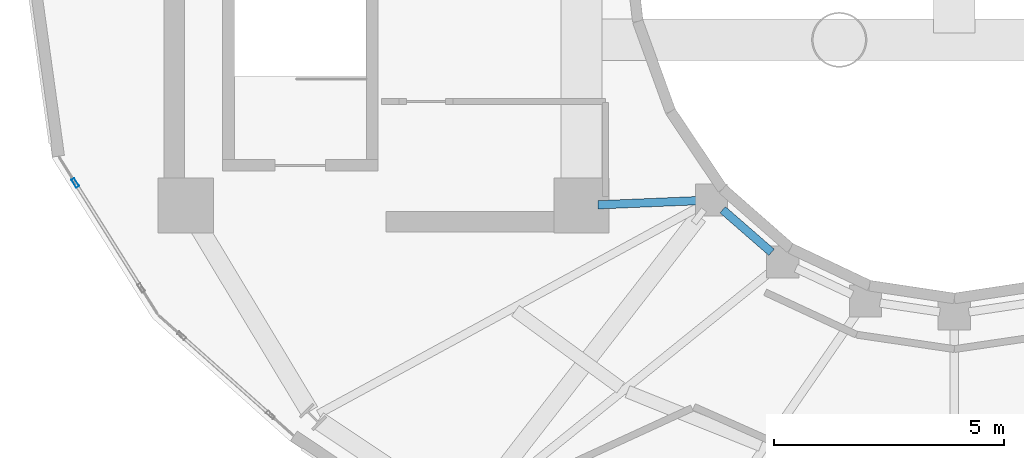
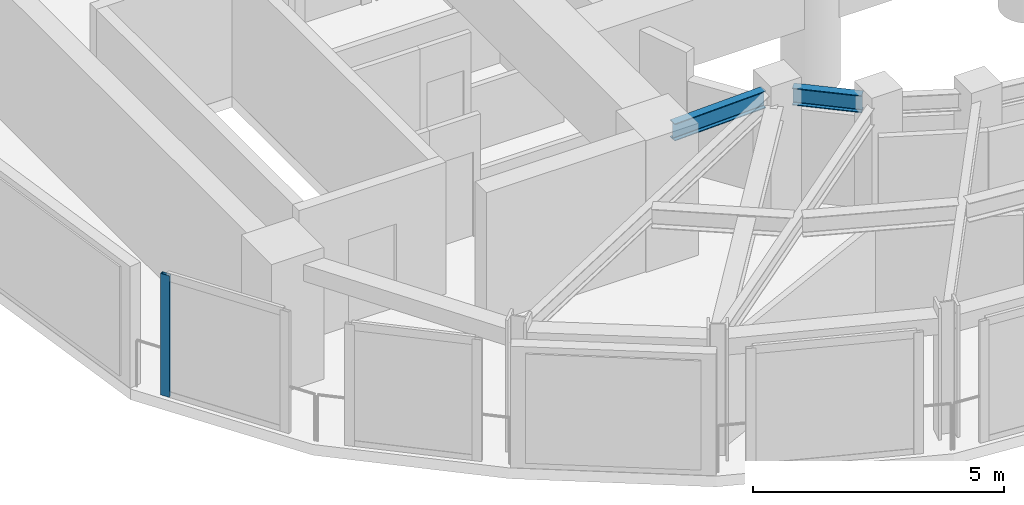
# One storey, part 4 of 17: 2 beams, 1 member, 1 element without a shape of its own.
"""IFC4 building model written with IfcOpenShell, lengths in metres."""

from ifc_helpers import new_model, si_unit, direction, frame, origin, origin_2d, place, context, subcontext, project, spatial, hollow_rectangle, i_section, extrude, material, layer, layer_set, material_profile, profile_set, type_object, element, aggregate, save


model = new_model("IFC4")

# Units and contexts
model_context = context("Model", 3, precision=1e-05, world=origin(), true_north=direction((0.0, 1.0)))
body_context = subcontext(model_context, "Body", "Model", "MODEL_VIEW")
ifc_project = project(units=[si_unit("LENGTHUNIT", "METRE"), si_unit("AREAUNIT", "SQUARE_METRE"), si_unit("VOLUMEUNIT", "CUBIC_METRE"), si_unit("PLANEANGLEUNIT", "RADIAN"), si_unit("MASSUNIT", "GRAM", prefix="KILO")], contexts=[model_context])

# Site, building, storey
site_placement = place(None, origin())
site = spatial("IfcSite", under=ifc_project, at=site_placement, CompositionType="ELEMENT")
building_placement = place(site_placement, origin())
building = spatial("IfcBuilding", under=site, at=building_placement, Name="Solvane Sanctuary Tower", CompositionType="ELEMENT")
storey_placement = place(building_placement, frame((0.0, 0.0, 276.39990234375)))
storey = spatial("IfcBuildingStorey", under=building, at=storey_placement, Name="L84", CompositionType="ELEMENT", Elevation=276.39990234375)

# Beams
ifc_material_1 = material(Name="Steel ASTM A992 Grade 50", Category="steel")
ifc_material_profile_1 = material_profile(ifc_material_1, i_section(OverallWidth=0.180908203125, OverallDepth=0.4169921875, WebThickness=0.010986328125, FlangeThickness=0.018310546875, FilletRadius=0.012939453125, at=origin_2d()), Name="W16X57")
ifc_profile_set_1 = profile_set([ifc_material_profile_1], Name="Steel ASTM A992 Grade 50")
beam_type = type_object("IfcBeamType", Name="Beam B-ROOF-BM W16X57", PredefinedType="BEAM", material=ifc_profile_set_1)
beam_1_placement = place(storey_placement, frame((24.259765625, 16.9150390625, 2.739501953125), z_axis=(0.999129127803, 0.041725124022, 0.0), x_axis=(-0.041725124022, 0.999129127803, 0.0)))
element("IfcBeam", 1, at=beam_1_placement, inside=storey, type_object=beam_type, Name="L84 Inner Light-Well Ring Beam CW2-IC08", PredefinedType="BEAM", context=body_context, shape_type="SweptSolid", body=[
    extrude(i_section(OverallWidth=0.180908203125, OverallDepth=0.4169921875, WebThickness=0.010986328125, FlangeThickness=0.018310546875, FilletRadius=0.012939453125, at=origin_2d()), origin(), (0.0, 0.0, 1.0), 2.1474609375),
])
beam_2_placement = place(storey_placement, frame((26.96630859375, 16.807861328125, 2.739501953125), z_axis=(0.754388985763, -0.656427648839, 0.0), x_axis=(0.656427648839, 0.754388985763, 0.0)))
element("IfcBeam", 2, at=beam_2_placement, inside=storey, type_object=beam_type, Name="L84 Inner Light-Well Ring Beam IC08-IC09", PredefinedType="BEAM", context=body_context, shape_type="SweptSolid", body=[
    extrude(i_section(OverallWidth=0.180908203125, OverallDepth=0.4169921875, WebThickness=0.010986328125, FlangeThickness=0.018310546875, FilletRadius=0.012939453125, at=origin_2d()), origin(), (0.0, 0.0, 1.0), 1.408203125),
])

# Curtain wall, member
ifc_material_2 = material(Name="Anodised Aluminium 6063-T6", Category="aluminium")
ifc_layer = layer(ifc_material_2, 0.219970703125, Name="Anodised Aluminium 6063-T6")
ifc_layer_set = layer_set([ifc_layer], Name="Anodised Aluminium 6063-T6")
curtain_wall_type = type_object("IfcCurtainWallType", Name="Curtain Wall CW-CROWN", PredefinedType="NOTDEFINED", material=ifc_layer_set)
curtain_wall_placement = place(storey_placement, origin())
curtain_wall = element("IfcCurtainWall", 3, at=curtain_wall_placement, inside=storey, type_object=curtain_wall_type, Name="L84 Crown Fritted Lantern Curtain Wall 13", PredefinedType="NOTDEFINED")
ifc_material_profile_2 = material_profile(ifc_material_2, hollow_rectangle(XDim=0.074951171875, YDim=0.199951171875, WallThickness=0.00390625, at=origin_2d()), Name="ALU200X75X4")
ifc_profile_set_2 = profile_set([ifc_material_profile_2], Name="Anodised Aluminium 6063-T6")
member_type = type_object("IfcMemberType", Name="Member M-CW-MUL-1 ALU200X75X4", PredefinedType="MULLION", material=ifc_profile_set_2)
member_placement = place(storey_placement, frame((12.90185546875, 17.389892578125, 0.0), z_axis=(0.0, 0.0, 1.0), x_axis=(0.847126400009, 0.531391439909, 0.0)))
member = element("IfcMember", 4, at=member_placement, type_object=member_type, Name="CW-CROWN mullion 1", PredefinedType="MULLION", context=body_context, shape_type="SweptSolid", body=[
    extrude(hollow_rectangle(XDim=0.074951171875, YDim=0.199951171875, WallThickness=0.00390625, at=origin_2d()), origin(), (0.0, 0.0, 1.0), 2.9501953125),
])
aggregate(curtain_wall, [member])

save(model, "model.ifc")
